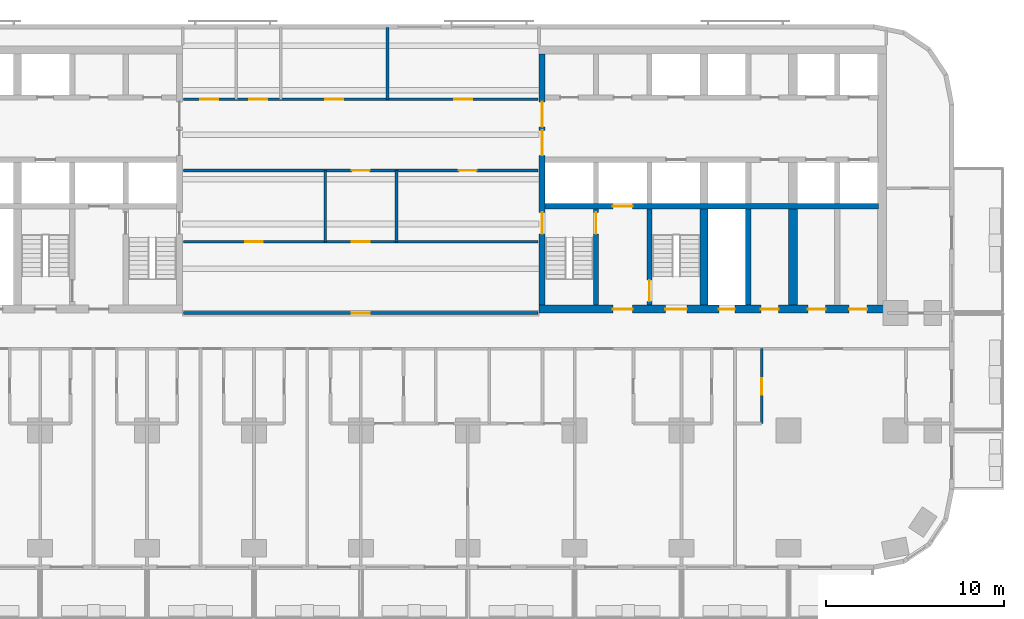
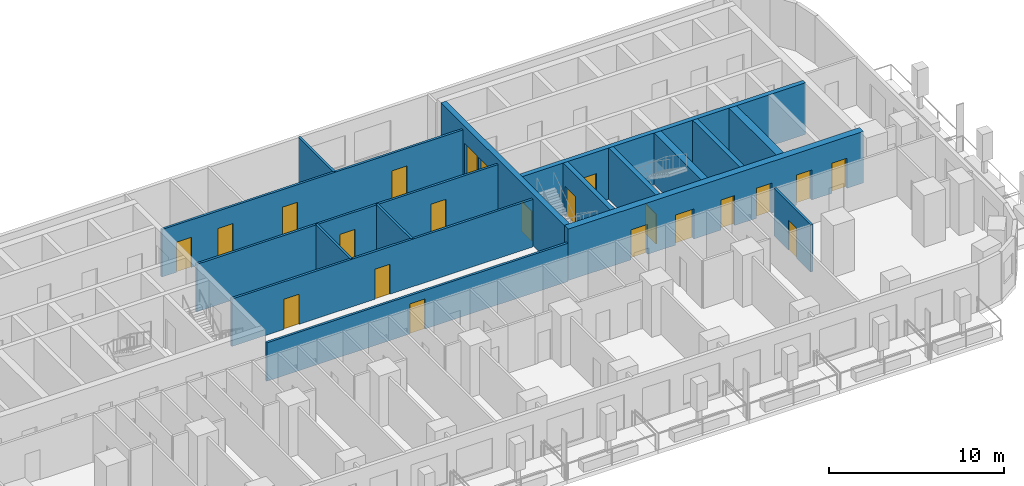
# One storey, part 6 of 13: 22 doors, 16 walls, 22 openings.
"""IFC4 building model written with IfcOpenShell, lengths in metres."""

from ifc_helpers import new_model, si_unit, direction, frame, frame_2d, origin, place, context, subcontext, project, spatial, rectangle, extrude, material, layer, layer_set, type_object, element, fill, save


model = new_model("IFC4")

# Units and contexts
model_context = context("Model", 3, precision=1e-05, world=origin(), true_north=direction((0.0, 1.0)))
body_context = subcontext(model_context, "Body", "Model", "MODEL_VIEW")
ifc_project = project(units=[si_unit("LENGTHUNIT", "METRE"), si_unit("AREAUNIT", "SQUARE_METRE"), si_unit("VOLUMEUNIT", "CUBIC_METRE"), si_unit("PLANEANGLEUNIT", "RADIAN"), si_unit("MASSUNIT", "GRAM", prefix="KILO")], contexts=[model_context])

# Site, building, storey
site_placement = place(None, origin())
site = spatial("IfcSite", under=ifc_project, at=site_placement, CompositionType="ELEMENT")
building_placement = place(site_placement, origin())
building = spatial("IfcBuilding", under=site, at=building_placement, Name="Torana Hotel and Residences", CompositionType="ELEMENT")
storey_placement = place(building_placement, frame((0.0, 0.0, 60.0)))
storey = spatial("IfcBuildingStorey", under=building, at=storey_placement, Name="L14", CompositionType="ELEMENT", Elevation=60.0)

# Wall, opening, door
ifc_material_1 = material(Name="Concrete C80/95", Category="concrete")
ifc_layer_1 = layer(ifc_material_1, 0.300048828125)
ifc_layer_set_1 = layer_set([ifc_layer_1], Name="CORE WALL 300 C80/95")
wall_type_1 = type_object("IfcWallType", Name="CORE WALL 300 C80/95", PredefinedType="SHEAR", material=ifc_layer_set_1)
wall_1_placement = place(storey_placement, frame((10.35009765625, -9.0, 0.0), z_axis=(0.0, 0.0, 1.0), x_axis=(1.0, 0.0, 0.0)))
wall_1 = element("IfcWall", 1, at=wall_1_placement, inside=storey, type_object=wall_type_1, Name="Core wall E band", PredefinedType="SHEAR", context=body_context, shape_type="SweptSolid", body=[
    extrude(rectangle(XDim=18.699951171875, YDim=0.300048828125, at=frame_2d((9.35009765625, 0.0))), origin(), (0.0, 0.0, 1.0), 3.60009765625),
])
opening_1_placement = place(wall_1_placement, frame((3.800048828125, 0.0, 0.0)))
opening_1 = element("IfcOpeningElement", 2, at=opening_1_placement, cuts=wall_1, Name="Opening LD", PredefinedType="OPENING", context=body_context, shape_type="SweptSolid", body=[
    extrude(rectangle(XDim=1.10009765625, YDim=2.10009765625, at=frame_2d((0.550048828125, 1.050048828125))), frame((0.0, 0.159912109375, 0.0), z_axis=(0.0, -1.0, 0.0), x_axis=(1.0, 0.0, 0.0)), (0.0, 0.0, 1.0), 0.320068359375),
])
ifc_material_2 = material(Name="Stainless steel 316", Category="steel")
door_type_1 = type_object("IfcDoorType", Name="LIFT LANDING DOOR LD 1100x2100", OperationType="DOUBLE_DOOR_SLIDING", PredefinedType="USERDEFINED", material=ifc_material_2)
door_1_placement = place(opening_1_placement, origin())
door_1 = element("IfcDoor", 3, at=door_1_placement, inside=storey, type_object=door_type_1, Name="Lift landing door FF2 L14", ObjectType="LIFT LANDING DOOR", OperationType="DOUBLE_DOOR_SLIDING", OverallHeight=2.10009765625, OverallWidth=1.10009765625, PredefinedType="USERDEFINED", context=body_context, shape_type="SweptSolid", body=[
    extrude(rectangle(XDim=1.10009765625, YDim=2.10009765625, at=frame_2d((0.550048828125, 1.050048828125))), frame((0.0, 0.02490234375, 0.0), z_axis=(0.0, -1.0, 0.0), x_axis=(1.0, 0.0, 0.0)), (0.0, 0.0, 1.0), 0.050048828125),
])
fill(opening_1, door_1)

wall_2_placement = place(storey_placement, frame((13.199951171875, -14.550048828125, 0.0), z_axis=(0.0, 0.0, 1.0), x_axis=(0.0, 1.0, 0.0)))
wall_2 = element("IfcWall", 4, at=wall_2_placement, inside=storey, type_object=wall_type_1, Name="Core wall E x3.05-band", PredefinedType="SHEAR", context=body_context, shape_type="SweptSolid", body=[
    extrude(rectangle(XDim=5.400146484375, YDim=0.300048828125, at=frame_2d((2.7001953125, 0.0))), origin(), (0.0, 0.0, 1.0), 3.60009765625),
])
opening_2_placement = place(wall_2_placement, frame((4.0, 0.0, 0.0)))
opening_2 = element("IfcOpeningElement", 5, at=opening_2_placement, cuts=wall_2, Name="Opening L14-31", PredefinedType="OPENING", context=body_context, shape_type="SweptSolid", body=[
    extrude(rectangle(XDim=1.199951171875, YDim=2.10009765625, at=frame_2d((0.60009765625, 1.050048828125))), frame((0.0, 0.159912109375, 0.0), z_axis=(0.0, -1.0, 0.0), x_axis=(1.0, 0.0, 0.0)), (0.0, 0.0, 1.0), 0.320068359375),
])
ifc_material_3 = material(Name="Steel S235", Category="steel")
door_type_2 = type_object("IfcDoorType", Name="STAIR FIRE DOOR D3 1200x2100", OperationType="SINGLE_SWING_LEFT", PredefinedType="DOOR", material=ifc_material_3)
door_2_placement = place(opening_2_placement, origin())
door_2 = element("IfcDoor", 6, at=door_2_placement, inside=storey, type_object=door_type_2, Name="Stair-A-lobby door L14", OperationType="SINGLE_SWING_LEFT", OverallHeight=2.10009765625, OverallWidth=1.199951171875, PredefinedType="DOOR", context=body_context, shape_type="SweptSolid", body=[
    extrude(rectangle(XDim=1.199951171875, YDim=2.10009765625, at=frame_2d((0.60009765625, 1.050048828125))), frame((0.0, 0.02490234375, 0.0), z_axis=(0.0, -1.0, 0.0), x_axis=(1.0, 0.0, 0.0)), (0.0, 0.0, 1.0), 0.050048828125),
])
fill(opening_2, door_2)

wall_3_placement = place(storey_placement, frame((16.199951171875, -14.550048828125, 0.0), z_axis=(0.0, 0.0, 1.0), x_axis=(0.0, 1.0, 0.0)))
wall_3 = element("IfcWall", 7, at=wall_3_placement, inside=storey, type_object=wall_type_1, Name="Core wall E x6.05-band", PredefinedType="SHEAR", context=body_context, shape_type="SweptSolid", body=[
    extrude(rectangle(XDim=5.400146484375, YDim=0.300048828125, at=frame_2d((2.7001953125, 0.0))), origin(), (0.0, 0.0, 1.0), 3.60009765625),
])
opening_3_placement = place(wall_3_placement, frame((0.199951171875, 0.0, 0.0)))
opening_3 = element("IfcOpeningElement", 8, at=opening_3_placement, cuts=wall_3, Name="Opening L14-32", PredefinedType="OPENING", context=body_context, shape_type="SweptSolid", body=[
    extrude(rectangle(XDim=1.199951171875, YDim=2.10009765625, at=frame_2d((0.60009765625, 1.050048828125))), frame((0.0, 0.159912109375, 0.0), z_axis=(0.0, -1.0, 0.0), x_axis=(1.0, 0.0, 0.0)), (0.0, 0.0, 1.0), 0.320068359375),
])
door_3_placement = place(opening_3_placement, frame((0.60009765625, 0.0, 0.0), z_axis=(0.0, 0.0, 1.0), x_axis=(-1.0, 0.0, 0.0)))
door_3 = element("IfcDoor", 9, at=door_3_placement, inside=storey, type_object=door_type_2, Name="Stair-B-lobby door L14", OperationType="SINGLE_SWING_LEFT", OverallHeight=2.10009765625, OverallWidth=1.199951171875, PredefinedType="DOOR", context=body_context, shape_type="SweptSolid", body=[
    extrude(rectangle(XDim=1.199951171875, YDim=2.10009765625, at=frame_2d((0.0, 1.050048828125))), frame((0.0, -0.02490234375, 0.0), z_axis=(0.0, 1.0, 0.0), x_axis=(-1.0, 0.0, 0.0)), (0.0, 0.0, 1.0), 0.050048828125),
])
fill(opening_3, door_3)

# Wall
wall_4_placement = place(storey_placement, frame((21.75, -14.550048828125, 0.0), z_axis=(0.0, 0.0, 1.0), x_axis=(0.0, 1.0, 0.0)))
element("IfcWall", 10, at=wall_4_placement, inside=storey, type_object=wall_type_1, Name="Core wall E mm-band", PredefinedType="SHEAR", context=body_context, shape_type="SweptSolid", body=[
    extrude(rectangle(XDim=5.400146484375, YDim=0.300048828125, at=frame_2d((2.7001953125, 0.0))), origin(), (0.0, 0.0, 1.0), 3.60009765625),
])

# Wall, openings, doors
ifc_material_4 = material(Name="Concrete C80/95", Category="concrete")
ifc_layer_2 = layer(ifc_material_4, 0.35009765625)
ifc_layer_set_2 = layer_set([ifc_layer_2], Name="CORE WALL 350 C80/95")
wall_type_2 = type_object("IfcWallType", Name="CORE WALL 350 C80/95", PredefinedType="SHEAR", material=ifc_layer_set_2)
wall_5_placement = place(storey_placement, frame((10.175048828125, -14.550048828125, 0.0), z_axis=(0.0, 0.0, 1.0), x_axis=(0.0, 1.0, 0.0)))
wall_5 = element("IfcWall", 11, at=wall_5_placement, inside=storey, type_object=wall_type_2, Name="Core wall E arch", PredefinedType="SHEAR", context=body_context, shape_type="SweptSolid", body=[
    extrude(rectangle(XDim=14.10009765625, YDim=0.35009765625, at=frame_2d((7.050048828125, 0.0))), origin(), (0.0, 0.0, 1.0), 3.60009765625),
])
opening_4_placement = place(wall_5_placement, frame((8.39990234375, 0.0, 0.0)))
opening_4 = element("IfcOpeningElement", 12, at=opening_4_placement, cuts=wall_5, Name="Opening L14-17", PredefinedType="OPENING", context=body_context, shape_type="SweptSolid", body=[
    extrude(rectangle(XDim=1.39990234375, YDim=2.39990234375, at=frame_2d((0.699951171875, 1.199951171875))), frame((0.0, 0.18505859375, 0.0), z_axis=(0.0, -1.0, 0.0), x_axis=(1.0, 0.0, 0.0)), (0.0, 0.0, 1.0), 0.3701171875),
])
opening_5_placement = place(wall_5_placement, frame((10.0, 0.0, 0.0)))
opening_5 = element("IfcOpeningElement", 13, at=opening_5_placement, cuts=wall_5, Name="Opening L14-18", PredefinedType="OPENING", context=body_context, shape_type="SweptSolid", body=[
    extrude(rectangle(XDim=1.39990234375, YDim=2.39990234375, at=frame_2d((0.699951171875, 1.199951171875))), frame((0.0, 0.18505859375, 0.0), z_axis=(0.0, -1.0, 0.0), x_axis=(1.0, 0.0, 0.0)), (0.0, 0.0, 1.0), 0.3701171875),
])
opening_6_placement = place(wall_5_placement, frame((4.0, 0.0, 0.0)))
opening_6 = element("IfcOpeningElement", 14, at=opening_6_placement, cuts=wall_5, Name="Opening L14-19", PredefinedType="OPENING", context=body_context, shape_type="SweptSolid", body=[
    extrude(rectangle(XDim=1.199951171875, YDim=2.10009765625, at=frame_2d((0.60009765625, 1.050048828125))), frame((0.0, 0.18505859375, 0.0), z_axis=(0.0, -1.0, 0.0), x_axis=(1.0, 0.0, 0.0)), (0.0, 0.0, 1.0), 0.3701171875),
])
ifc_material_5 = material(Name="Steel S235", Category="steel")
door_type_3 = type_object("IfcDoorType", Name="LOBBY FIRE DOOR D4 1400x2400", OperationType="DOUBLE_DOOR_SINGLE_SWING", PredefinedType="DOOR", material=ifc_material_5)
door_4_placement = place(opening_4_placement, origin())
door_4 = element("IfcDoor", 15, at=door_4_placement, inside=storey, type_object=door_type_3, Name="Lobby-1 door L14", OperationType="DOUBLE_DOOR_SINGLE_SWING", OverallHeight=2.39990234375, OverallWidth=1.39990234375, PredefinedType="DOOR", context=body_context, shape_type="SweptSolid", body=[
    extrude(rectangle(XDim=1.39990234375, YDim=2.39990234375, at=frame_2d((0.699951171875, 1.199951171875))), frame((0.0, 0.02490234375, 0.0), z_axis=(0.0, -1.0, 0.0), x_axis=(1.0, 0.0, 0.0)), (0.0, 0.0, 1.0), 0.050048828125),
])
fill(opening_4, door_4)
door_5_placement = place(opening_5_placement, origin())
door_5 = element("IfcDoor", 16, at=door_5_placement, inside=storey, type_object=door_type_3, Name="Lobby-2 door L14", OperationType="DOUBLE_DOOR_SINGLE_SWING", OverallHeight=2.39990234375, OverallWidth=1.39990234375, PredefinedType="DOOR", context=body_context, shape_type="SweptSolid", body=[
    extrude(rectangle(XDim=1.39990234375, YDim=2.39990234375, at=frame_2d((0.699951171875, 1.199951171875))), frame((0.0, 0.02490234375, 0.0), z_axis=(0.0, -1.0, 0.0), x_axis=(1.0, 0.0, 0.0)), (0.0, 0.0, 1.0), 0.050048828125),
])
fill(opening_5, door_5)
door_6_placement = place(opening_6_placement, frame((0.60009765625, 0.0, 0.0), z_axis=(0.0, 0.0, 1.0), x_axis=(-1.0, 0.0, 0.0)))
door_6 = element("IfcDoor", 17, at=door_6_placement, inside=storey, type_object=door_type_2, Name="Stair-A door L14", OperationType="SINGLE_SWING_RIGHT", OverallHeight=2.10009765625, OverallWidth=1.199951171875, PredefinedType="DOOR", context=body_context, shape_type="SweptSolid", body=[
    extrude(rectangle(XDim=1.199951171875, YDim=2.10009765625, at=frame_2d((0.0, 1.050048828125))), frame((0.0, -0.02490234375, 0.0), z_axis=(0.0, 1.0, 0.0), x_axis=(-1.0, 0.0, 0.0)), (0.0, 0.0, 1.0), 0.050048828125),
])
fill(opening_6, door_6)

ifc_material_6 = material(Name="Concrete C80/95", Category="concrete")
ifc_layer_3 = layer(ifc_material_6, 0.449951171875)
ifc_layer_set_3 = layer_set([ifc_layer_3], Name="CORE WALL 450 C80/95")
wall_type_3 = type_object("IfcWallType", Name="CORE WALL 450 C80/95", PredefinedType="SHEAR", material=ifc_layer_set_3)
wall_6_placement = place(storey_placement, frame((10.0, -14.77490234375, 0.0), z_axis=(0.0, 0.0, 1.0), x_axis=(1.0, 0.0, 0.0)))
wall_6 = element("IfcWall", 18, at=wall_6_placement, inside=storey, type_object=wall_type_3, Name="Core wall E front", PredefinedType="SHEAR", context=body_context, shape_type="SweptSolid", body=[
    extrude(rectangle(XDim=19.5, YDim=0.449951171875, at=frame_2d((9.75, 0.0))), origin(), (0.0, 0.0, 1.0), 3.60009765625),
])
opening_7_placement = place(wall_6_placement, frame((7.10009765625, 0.0, 0.0)))
opening_7 = element("IfcOpeningElement", 19, at=opening_7_placement, cuts=wall_6, Name="Opening L14-20", PredefinedType="OPENING", context=body_context, shape_type="SweptSolid", body=[
    extrude(rectangle(XDim=1.199951171875, YDim=2.10009765625, at=frame_2d((0.60009765625, 1.050048828125))), frame((0.0, 0.23486328125, 0.0), z_axis=(0.0, -1.0, 0.0), x_axis=(1.0, 0.0, 0.0)), (0.0, 0.0, 1.0), 0.469970703125),
])
opening_8_placement = place(wall_6_placement, frame((4.14990234375, 0.0, 0.0)))
opening_8 = element("IfcOpeningElement", 20, at=opening_8_placement, cuts=wall_6, Name="Opening L14-21", PredefinedType="OPENING", context=body_context, shape_type="SweptSolid", body=[
    extrude(rectangle(XDim=1.10009765625, YDim=2.10009765625, at=frame_2d((0.550048828125, 1.050048828125))), frame((0.0, 0.23486328125, 0.0), z_axis=(0.0, -1.0, 0.0), x_axis=(1.0, 0.0, 0.0)), (0.0, 0.0, 1.0), 0.469970703125),
])
opening_9_placement = place(wall_6_placement, frame((10.10009765625, 0.0, 0.0)))
opening_9 = element("IfcOpeningElement", 21, at=opening_9_placement, cuts=wall_6, Name="Opening L14-22", PredefinedType="OPENING", context=body_context, shape_type="SweptSolid", body=[
    extrude(rectangle(XDim=0.89990234375, YDim=2.10009765625, at=frame_2d((0.449951171875, 1.050048828125))), frame((0.0, 0.23486328125, 0.0), z_axis=(0.0, -1.0, 0.0), x_axis=(1.0, 0.0, 0.0)), (0.0, 0.0, 1.0), 0.469970703125),
])
opening_10_placement = place(wall_6_placement, frame((12.449951171875, 0.0, 0.0)))
opening_10 = element("IfcOpeningElement", 22, at=opening_10_placement, cuts=wall_6, Name="Opening L14-23", PredefinedType="OPENING", context=body_context, shape_type="SweptSolid", body=[
    extrude(rectangle(XDim=1.0, YDim=2.10009765625, at=frame_2d((0.5, 1.050048828125))), frame((0.0, 0.23486328125, 0.0), z_axis=(0.0, -1.0, 0.0), x_axis=(1.0, 0.0, 0.0)), (0.0, 0.0, 1.0), 0.469970703125),
])
opening_11_placement = place(wall_6_placement, frame((15.08740234375, 0.0, 0.0)))
opening_11 = element("IfcOpeningElement", 23, at=opening_11_placement, cuts=wall_6, Name="Opening L14-24", PredefinedType="OPENING", context=body_context, shape_type="SweptSolid", body=[
    extrude(rectangle(XDim=1.0, YDim=2.10009765625, at=frame_2d((0.5, 1.050048828125))), frame((0.0, 0.23486328125, 0.0), z_axis=(0.0, -1.0, 0.0), x_axis=(1.0, 0.0, 0.0)), (0.0, 0.0, 1.0), 0.469970703125),
])
opening_12_placement = place(wall_6_placement, frame((17.41259765625, 0.0, 0.0)))
opening_12 = element("IfcOpeningElement", 24, at=opening_12_placement, cuts=wall_6, Name="Opening L14-25", PredefinedType="OPENING", context=body_context, shape_type="SweptSolid", body=[
    extrude(rectangle(XDim=1.0, YDim=2.10009765625, at=frame_2d((0.5, 1.050048828125))), frame((0.0, 0.23486328125, 0.0), z_axis=(0.0, -1.0, 0.0), x_axis=(1.0, 0.0, 0.0)), (0.0, 0.0, 1.0), 0.469970703125),
])
ifc_material_7 = material(Name="Steel S235", Category="steel")
door_type_4 = type_object("IfcDoorType", Name="CORE ROOM FIRE DOOR D14 1000x2100", OperationType="SINGLE_SWING_LEFT", PredefinedType="DOOR", material=ifc_material_7)
door_7_placement = place(opening_10_placement, origin())
door_7 = element("IfcDoor", 25, at=door_7_placement, inside=storey, type_object=door_type_4, Name="M-Room door L14", OperationType="SINGLE_SWING_RIGHT", OverallHeight=2.10009765625, OverallWidth=1.0, PredefinedType="DOOR", context=body_context, shape_type="SweptSolid", body=[
    extrude(rectangle(XDim=1.0, YDim=2.10009765625, at=frame_2d((0.5, 1.050048828125))), frame((0.0, 0.02490234375, 0.0), z_axis=(0.0, -1.0, 0.0), x_axis=(1.0, 0.0, 0.0)), (0.0, 0.0, 1.0), 0.050048828125),
])
fill(opening_10, door_7)
door_8_placement = place(opening_11_placement, origin())
door_8 = element("IfcDoor", 26, at=door_8_placement, inside=storey, type_object=door_type_4, Name="L-A door L14", OperationType="SINGLE_SWING_RIGHT", OverallHeight=2.10009765625, OverallWidth=1.0, PredefinedType="DOOR", context=body_context, shape_type="SweptSolid", body=[
    extrude(rectangle(XDim=1.0, YDim=2.10009765625, at=frame_2d((0.5, 1.050048828125))), frame((0.0, 0.02490234375, 0.0), z_axis=(0.0, -1.0, 0.0), x_axis=(1.0, 0.0, 0.0)), (0.0, 0.0, 1.0), 0.050048828125),
])
fill(opening_11, door_8)
door_9_placement = place(opening_12_placement, origin())
door_9 = element("IfcDoor", 27, at=door_9_placement, inside=storey, type_object=door_type_4, Name="L-B door L14", OperationType="SINGLE_SWING_RIGHT", OverallHeight=2.10009765625, OverallWidth=1.0, PredefinedType="DOOR", context=body_context, shape_type="SweptSolid", body=[
    extrude(rectangle(XDim=1.0, YDim=2.10009765625, at=frame_2d((0.5, 1.050048828125))), frame((0.0, 0.02490234375, 0.0), z_axis=(0.0, -1.0, 0.0), x_axis=(1.0, 0.0, 0.0)), (0.0, 0.0, 1.0), 0.050048828125),
])
fill(opening_12, door_9)
ifc_material_8 = material(Name="Steel S235", Category="steel")
door_type_5 = type_object("IfcDoorType", Name="FIRE-FIGHTING LOBBY DOOR D8 1100x2100", OperationType="SINGLE_SWING_LEFT", PredefinedType="DOOR", material=ifc_material_8)
door_10_placement = place(opening_8_placement, origin())
door_10 = element("IfcDoor", 28, at=door_10_placement, inside=storey, type_object=door_type_5, Name="FF-lobby door L14", OperationType="SINGLE_SWING_RIGHT", OverallHeight=2.10009765625, OverallWidth=1.10009765625, PredefinedType="DOOR", context=body_context, shape_type="SweptSolid", body=[
    extrude(rectangle(XDim=1.10009765625, YDim=2.10009765625, at=frame_2d((0.550048828125, 1.050048828125))), frame((0.0, 0.02490234375, 0.0), z_axis=(0.0, -1.0, 0.0), x_axis=(1.0, 0.0, 0.0)), (0.0, 0.0, 1.0), 0.050048828125),
])
fill(opening_8, door_10)
ifc_material_9 = material(Name="Steel S235", Category="steel")
door_type_6 = type_object("IfcDoorType", Name="RISER ACCESS DOOR D5 900x2100", OperationType="SINGLE_SWING_LEFT", PredefinedType="DOOR", material=ifc_material_9)
door_11_placement = place(opening_9_placement, origin())
door_11 = element("IfcDoor", 29, at=door_11_placement, inside=storey, type_object=door_type_6, Name="M-Riser door L14", OperationType="SINGLE_SWING_RIGHT", OverallHeight=2.10009765625, OverallWidth=0.89990234375, PredefinedType="DOOR", context=body_context, shape_type="SweptSolid", body=[
    extrude(rectangle(XDim=0.89990234375, YDim=2.10009765625, at=frame_2d((0.449951171875, 1.050048828125))), frame((0.0, 0.02490234375, 0.0), z_axis=(0.0, -1.0, 0.0), x_axis=(1.0, 0.0, 0.0)), (0.0, 0.0, 1.0), 0.050048828125),
])
fill(opening_9, door_11)
door_12_placement = place(opening_7_placement, origin())
door_12 = element("IfcDoor", 30, at=door_12_placement, inside=storey, type_object=door_type_2, Name="Stair-B door L14", OperationType="SINGLE_SWING_RIGHT", OverallHeight=2.10009765625, OverallWidth=1.199951171875, PredefinedType="DOOR", context=body_context, shape_type="SweptSolid", body=[
    extrude(rectangle(XDim=1.199951171875, YDim=2.10009765625, at=frame_2d((0.60009765625, 1.050048828125))), frame((0.0, 0.02490234375, 0.0), z_axis=(0.0, -1.0, 0.0), x_axis=(1.0, 0.0, 0.0)), (0.0, 0.0, 1.0), 0.050048828125),
])
fill(opening_7, door_12)

# Walls
wall_7_placement = place(storey_placement, frame((19.27490234375, -14.550048828125, 0.0), z_axis=(0.0, 0.0, 1.0), x_axis=(0.0, 1.0, 0.0)))
element("IfcWall", 31, at=wall_7_placement, inside=storey, type_object=wall_type_3, Name="Core wall E hm-band", PredefinedType="SHEAR", context=body_context, shape_type="SweptSolid", body=[
    extrude(rectangle(XDim=5.400146484375, YDim=0.449951171875, at=frame_2d((2.7001953125, 0.0))), origin(), (0.0, 0.0, 1.0), 3.60009765625),
])
ifc_material_10 = material(Name="Concrete C80/95", Category="concrete")
ifc_layer_4 = layer(ifc_material_10, 0.5)
ifc_layer_set_4 = layer_set([ifc_layer_4], Name="CORE WALL 500 C80/95")
wall_type_4 = type_object("IfcWallType", Name="CORE WALL 500 C80/95", PredefinedType="SHEAR", material=ifc_layer_set_4)
wall_8_placement = place(storey_placement, frame((24.25, -14.550048828125, 0.0), z_axis=(0.0, 0.0, 1.0), x_axis=(0.0, 1.0, 0.0)))
element("IfcWall", 32, at=wall_8_placement, inside=storey, type_object=wall_type_4, Name="Core wall E ml-band", PredefinedType="SHEAR", context=body_context, shape_type="SweptSolid", body=[
    extrude(rectangle(XDim=5.400146484375, YDim=0.5, at=frame_2d((2.7001953125, 0.0))), origin(), (0.0, 0.0, 1.0), 3.60009765625),
])
ifc_material_11 = material(Name="Gypsum plaster")
ifc_layer_5 = layer(ifc_material_11, 0.014892578125, Name="Plaster", Category="finish")
ifc_material_12 = material(Name="Concrete blockwork", Category="masonry")
ifc_layer_6 = layer(ifc_material_12, 0.1201171875, Name="Blockwork", Category="structure")
ifc_layer_7 = layer(ifc_material_11, 0.014892578125, Name="Plaster", Category="finish")
ifc_layer_set_5 = layer_set([ifc_layer_5, ifc_layer_6, ifc_layer_7], Name="FIRE PARTITION 150 BLOCKWORK")
wall_type_5 = type_object("IfcWallType", Name="FIRE PARTITION 150 BLOCKWORK", PredefinedType="PARTITIONING", material=ifc_layer_set_5)
for number, where, z_axis, x_axis, name in (
    (33, (2.0, -11.0, 0.0), (0.0, 0.0, 1.0), (0.0, 1.0, 0.0), "Partition L14"),
    (34, (-2.0, -11.0, 0.0), (0.0, 0.0, 1.0), (0.0, 1.0, 0.0), "Partition L14"),
):
    element("IfcWall", number, at=place(storey_placement, frame(where, z_axis=z_axis, x_axis=x_axis)), inside=storey, type_object=wall_type_5, Name=name, PredefinedType="PARTITIONING", context=body_context, shape_type="SweptSolid", body=[
        extrude(rectangle(XDim=4.0, YDim=0.14990234375, at=frame_2d((2.0, 0.0))), origin(), (0.0, 0.0, 1.0), 3.320068359375),
    ])

# Wall, opening, door
wall_9_placement = place(storey_placement, frame((-9.949951171875, -15.0, 0.0), z_axis=(0.0, 0.0, 1.0), x_axis=(1.0, 0.0, 0.0)))
wall_9 = element("IfcWall", 35, at=wall_9_placement, inside=storey, type_object=wall_type_5, Name="Partition L14", PredefinedType="PARTITIONING", context=body_context, shape_type="SweptSolid", body=[
    extrude(rectangle(XDim=19.89990234375, YDim=0.14990234375, at=frame_2d((9.949951171875, 0.0))), origin(), (0.0, 0.0, 1.0), 2.68408203125),
])
opening_13_placement = place(wall_9_placement, frame((9.449951171875, 0.0, 0.0)))
opening_13 = element("IfcOpeningElement", 36, at=opening_13_placement, cuts=wall_9, Name="Opening L14-33", PredefinedType="OPENING", context=body_context, shape_type="SweptSolid", body=[
    extrude(rectangle(XDim=1.0, YDim=2.10009765625, at=frame_2d((0.5, 1.050048828125))), frame((0.0, 0.0849609375, 0.0), z_axis=(0.0, -1.0, 0.0), x_axis=(1.0, 0.0, 0.0)), (0.0, 0.0, 1.0), 0.169921875),
])
ifc_material_13 = material(Name="Steel S235", Category="steel")
door_type_7 = type_object("IfcDoorType", Name="ENTRY FIRE DOOR D6 1000x2100", OperationType="SINGLE_SWING_LEFT", PredefinedType="DOOR", material=ifc_material_13)
door_13_placement = place(opening_13_placement, origin())
door_13 = element("IfcDoor", 37, at=door_13_placement, inside=storey, type_object=door_type_7, Name="Door L14", OperationType="SINGLE_SWING_RIGHT", OverallHeight=2.10009765625, OverallWidth=1.0, PredefinedType="DOOR", context=body_context, shape_type="SweptSolid", body=[
    extrude(rectangle(XDim=1.0, YDim=2.10009765625, at=frame_2d((0.5, 1.050048828125))), frame((0.0, 0.02490234375, 0.0), z_axis=(0.0, -1.0, 0.0), x_axis=(1.0, 0.0, 0.0)), (0.0, 0.0, 1.0), 0.050048828125),
])
fill(opening_13, door_13)

# Wall, openings, doors
wall_10_placement = place(storey_placement, frame((-9.949951171875, -11.0, 0.0), z_axis=(0.0, 0.0, 1.0), x_axis=(1.0, 0.0, 0.0)))
wall_10 = element("IfcWall", 38, at=wall_10_placement, inside=storey, type_object=wall_type_5, Name="Partition L14", PredefinedType="PARTITIONING", context=body_context, shape_type="SweptSolid", body=[
    extrude(rectangle(XDim=19.89990234375, YDim=0.14990234375, at=frame_2d((9.949951171875, 0.0))), origin(), (0.0, 0.0, 1.0), 3.320068359375),
])
opening_14_placement = place(wall_10_placement, frame((9.449951171875, 0.0, 0.0)))
opening_14 = element("IfcOpeningElement", 39, at=opening_14_placement, cuts=wall_10, Name="Opening L14-48", PredefinedType="OPENING", context=body_context, shape_type="SweptSolid", body=[
    extrude(rectangle(XDim=1.0, YDim=2.10009765625, at=frame_2d((0.5, 1.050048828125))), frame((0.0, 0.0849609375, 0.0), z_axis=(0.0, -1.0, 0.0), x_axis=(1.0, 0.0, 0.0)), (0.0, 0.0, 1.0), 0.169921875),
])
opening_15_placement = place(wall_10_placement, frame((3.449951171875, 0.0, 0.0)))
opening_15 = element("IfcOpeningElement", 40, at=opening_15_placement, cuts=wall_10, Name="Opening L14-49", PredefinedType="OPENING", context=body_context, shape_type="SweptSolid", body=[
    extrude(rectangle(XDim=1.0, YDim=2.10009765625, at=frame_2d((0.5, 1.050048828125))), frame((0.0, 0.0849609375, 0.0), z_axis=(0.0, -1.0, 0.0), x_axis=(1.0, 0.0, 0.0)), (0.0, 0.0, 1.0), 0.169921875),
])
door_14_placement = place(opening_14_placement, origin())
door_14 = element("IfcDoor", 41, at=door_14_placement, inside=storey, type_object=door_type_7, Name="Door L14", OperationType="SINGLE_SWING_RIGHT", OverallHeight=2.10009765625, OverallWidth=1.0, PredefinedType="DOOR", context=body_context, shape_type="SweptSolid", body=[
    extrude(rectangle(XDim=1.0, YDim=2.10009765625, at=frame_2d((0.5, 1.050048828125))), frame((0.0, 0.02490234375, 0.0), z_axis=(0.0, -1.0, 0.0), x_axis=(1.0, 0.0, 0.0)), (0.0, 0.0, 1.0), 0.050048828125),
])
fill(opening_14, door_14)
door_15_placement = place(opening_15_placement, origin())
door_15 = element("IfcDoor", 42, at=door_15_placement, inside=storey, type_object=door_type_7, Name="Door L14", OperationType="SINGLE_SWING_RIGHT", OverallHeight=2.10009765625, OverallWidth=1.0, PredefinedType="DOOR", context=body_context, shape_type="SweptSolid", body=[
    extrude(rectangle(XDim=1.0, YDim=2.10009765625, at=frame_2d((0.5, 1.050048828125))), frame((0.0, 0.02490234375, 0.0), z_axis=(0.0, -1.0, 0.0), x_axis=(1.0, 0.0, 0.0)), (0.0, 0.0, 1.0), 0.050048828125),
])
fill(opening_15, door_15)

wall_11_placement = place(storey_placement, frame((-9.949951171875, -7.0, 0.0), z_axis=(0.0, 0.0, 1.0), x_axis=(1.0, 0.0, 0.0)))
wall_11 = element("IfcWall", 43, at=wall_11_placement, inside=storey, type_object=wall_type_5, Name="Partition L14", PredefinedType="PARTITIONING", context=body_context, shape_type="SweptSolid", body=[
    extrude(rectangle(XDim=19.89990234375, YDim=0.14990234375, at=frame_2d((9.949951171875, 0.0))), origin(), (0.0, 0.0, 1.0), 3.320068359375),
])
opening_16_placement = place(wall_11_placement, frame((9.449951171875, 0.0, 0.0)))
opening_16 = element("IfcOpeningElement", 44, at=opening_16_placement, cuts=wall_11, Name="Opening L14-50", PredefinedType="OPENING", context=body_context, shape_type="SweptSolid", body=[
    extrude(rectangle(XDim=1.0, YDim=2.10009765625, at=frame_2d((0.5, 1.050048828125))), frame((0.0, 0.0849609375, 0.0), z_axis=(0.0, -1.0, 0.0), x_axis=(1.0, 0.0, 0.0)), (0.0, 0.0, 1.0), 0.169921875),
])
opening_17_placement = place(wall_11_placement, frame((15.449951171875, 0.0, 0.0)))
opening_17 = element("IfcOpeningElement", 45, at=opening_17_placement, cuts=wall_11, Name="Opening L14-51", PredefinedType="OPENING", context=body_context, shape_type="SweptSolid", body=[
    extrude(rectangle(XDim=1.0, YDim=2.10009765625, at=frame_2d((0.5, 1.050048828125))), frame((0.0, 0.0849609375, 0.0), z_axis=(0.0, -1.0, 0.0), x_axis=(1.0, 0.0, 0.0)), (0.0, 0.0, 1.0), 0.169921875),
])
door_16_placement = place(opening_16_placement, origin())
door_16 = element("IfcDoor", 46, at=door_16_placement, inside=storey, type_object=door_type_7, Name="Door L14", OperationType="SINGLE_SWING_RIGHT", OverallHeight=2.10009765625, OverallWidth=1.0, PredefinedType="DOOR", context=body_context, shape_type="SweptSolid", body=[
    extrude(rectangle(XDim=1.0, YDim=2.10009765625, at=frame_2d((0.5, 1.050048828125))), frame((0.0, 0.02490234375, 0.0), z_axis=(0.0, -1.0, 0.0), x_axis=(1.0, 0.0, 0.0)), (0.0, 0.0, 1.0), 0.050048828125),
])
fill(opening_16, door_16)
door_17_placement = place(opening_17_placement, frame((0.5, 0.0, 0.0), z_axis=(0.0, 0.0, 1.0), x_axis=(-1.0, 0.0, 0.0)))
door_17 = element("IfcDoor", 47, at=door_17_placement, inside=storey, type_object=door_type_7, Name="Door L14", OperationType="SINGLE_SWING_LEFT", OverallHeight=2.10009765625, OverallWidth=1.0, PredefinedType="DOOR", context=body_context, shape_type="SweptSolid", body=[
    extrude(rectangle(XDim=1.0, YDim=2.10009765625, at=frame_2d((0.0, 1.050048828125))), frame((0.0, -0.02490234375, 0.0), z_axis=(0.0, 1.0, 0.0), x_axis=(-1.0, 0.0, 0.0)), (0.0, 0.0, 1.0), 0.050048828125),
])
fill(opening_17, door_17)

wall_12_placement = place(storey_placement, frame((-9.949951171875, -3.0, 0.0), z_axis=(0.0, 0.0, 1.0), x_axis=(1.0, 0.0, 0.0)))
wall_12 = element("IfcWall", 48, at=wall_12_placement, inside=storey, type_object=wall_type_5, Name="Partition L14", PredefinedType="PARTITIONING", context=body_context, shape_type="SweptSolid", body=[
    extrude(rectangle(XDim=19.89990234375, YDim=0.14990234375, at=frame_2d((9.949951171875, 0.0))), origin(), (0.0, 0.0, 1.0), 3.320068359375),
])
opening_18_placement = place(wall_12_placement, frame((0.949951171875, 0.0, 0.0)))
opening_18 = element("IfcOpeningElement", 49, at=opening_18_placement, cuts=wall_12, Name="Opening L14-52", PredefinedType="OPENING", context=body_context, shape_type="SweptSolid", body=[
    extrude(rectangle(XDim=1.0, YDim=2.10009765625, at=frame_2d((0.5, 1.050048828125))), frame((0.0, 0.0849609375, 0.0), z_axis=(0.0, -1.0, 0.0), x_axis=(1.0, 0.0, 0.0)), (0.0, 0.0, 1.0), 0.169921875),
])
opening_19_placement = place(wall_12_placement, frame((3.699951171875, 0.0, 0.0)))
opening_19 = element("IfcOpeningElement", 50, at=opening_19_placement, cuts=wall_12, Name="Opening L14-53", PredefinedType="OPENING", context=body_context, shape_type="SweptSolid", body=[
    extrude(rectangle(XDim=1.0, YDim=2.10009765625, at=frame_2d((0.5, 1.050048828125))), frame((0.0, 0.0849609375, 0.0), z_axis=(0.0, -1.0, 0.0), x_axis=(1.0, 0.0, 0.0)), (0.0, 0.0, 1.0), 0.169921875),
])
opening_20_placement = place(wall_12_placement, frame((7.949951171875, 0.0, 0.0)))
opening_20 = element("IfcOpeningElement", 51, at=opening_20_placement, cuts=wall_12, Name="Opening L14-54", PredefinedType="OPENING", context=body_context, shape_type="SweptSolid", body=[
    extrude(rectangle(XDim=1.0, YDim=2.10009765625, at=frame_2d((0.5, 1.050048828125))), frame((0.0, 0.0849609375, 0.0), z_axis=(0.0, -1.0, 0.0), x_axis=(1.0, 0.0, 0.0)), (0.0, 0.0, 1.0), 0.169921875),
])
opening_21_placement = place(wall_12_placement, frame((15.199951171875, 0.0, 0.0)))
opening_21 = element("IfcOpeningElement", 52, at=opening_21_placement, cuts=wall_12, Name="Opening L14-55", PredefinedType="OPENING", context=body_context, shape_type="SweptSolid", body=[
    extrude(rectangle(XDim=1.0, YDim=2.10009765625, at=frame_2d((0.5, 1.050048828125))), frame((0.0, 0.0849609375, 0.0), z_axis=(0.0, -1.0, 0.0), x_axis=(1.0, 0.0, 0.0)), (0.0, 0.0, 1.0), 0.169921875),
])
door_18_placement = place(opening_18_placement, origin())
door_18 = element("IfcDoor", 53, at=door_18_placement, inside=storey, type_object=door_type_7, Name="Door L14", OperationType="SINGLE_SWING_RIGHT", OverallHeight=2.10009765625, OverallWidth=1.0, PredefinedType="DOOR", context=body_context, shape_type="SweptSolid", body=[
    extrude(rectangle(XDim=1.0, YDim=2.10009765625, at=frame_2d((0.5, 1.050048828125))), frame((0.0, 0.02490234375, 0.0), z_axis=(0.0, -1.0, 0.0), x_axis=(1.0, 0.0, 0.0)), (0.0, 0.0, 1.0), 0.050048828125),
])
fill(opening_18, door_18)
door_19_placement = place(opening_19_placement, origin())
door_19 = element("IfcDoor", 54, at=door_19_placement, inside=storey, type_object=door_type_7, Name="Door L14", OperationType="SINGLE_SWING_RIGHT", OverallHeight=2.10009765625, OverallWidth=1.0, PredefinedType="DOOR", context=body_context, shape_type="SweptSolid", body=[
    extrude(rectangle(XDim=1.0, YDim=2.10009765625, at=frame_2d((0.5, 1.050048828125))), frame((0.0, 0.02490234375, 0.0), z_axis=(0.0, -1.0, 0.0), x_axis=(1.0, 0.0, 0.0)), (0.0, 0.0, 1.0), 0.050048828125),
])
fill(opening_19, door_19)
door_20_placement = place(opening_20_placement, origin())
door_20 = element("IfcDoor", 55, at=door_20_placement, inside=storey, type_object=door_type_7, Name="Door L14", OperationType="SINGLE_SWING_RIGHT", OverallHeight=2.10009765625, OverallWidth=1.0, PredefinedType="DOOR", context=body_context, shape_type="SweptSolid", body=[
    extrude(rectangle(XDim=1.0, YDim=2.10009765625, at=frame_2d((0.5, 1.050048828125))), frame((0.0, 0.02490234375, 0.0), z_axis=(0.0, -1.0, 0.0), x_axis=(1.0, 0.0, 0.0)), (0.0, 0.0, 1.0), 0.050048828125),
])
fill(opening_20, door_20)
door_21_placement = place(opening_21_placement, origin())
door_21 = element("IfcDoor", 56, at=door_21_placement, inside=storey, type_object=door_type_7, Name="Door L14", OperationType="SINGLE_SWING_RIGHT", OverallHeight=2.10009765625, OverallWidth=1.0, PredefinedType="DOOR", context=body_context, shape_type="SweptSolid", body=[
    extrude(rectangle(XDim=1.0, YDim=2.10009765625, at=frame_2d((0.5, 1.050048828125))), frame((0.0, 0.02490234375, 0.0), z_axis=(0.0, -1.0, 0.0), x_axis=(1.0, 0.0, 0.0)), (0.0, 0.0, 1.0), 0.050048828125),
])
fill(opening_21, door_21)

# Wall, opening, door
ifc_material_14 = material(Name="Gypsum plasterboard")
ifc_layer_8 = layer(ifc_material_14, 0.012451171875, Name="Plasterboard", Category="finish")
ifc_layer_9 = layer(ifc_material_14, 0.012451171875, Name="Plasterboard", Category="finish")
ifc_material_15 = material(Name="Steel S280GD", Category="steel")
ifc_layer_10 = layer(ifc_material_15, 0.10009765625, Name="Steel studs with mineral wool", Category="insulation")
ifc_layer_11 = layer(ifc_material_14, 0.012451171875, Name="Plasterboard", Category="finish")
ifc_layer_12 = layer(ifc_material_14, 0.012451171875, Name="Plasterboard", Category="finish")
ifc_layer_set_6 = layer_set([ifc_layer_8, ifc_layer_9, ifc_layer_10, ifc_layer_11, ifc_layer_12], Name="PARTITION 150 PLASTERBOARD")
wall_type_6 = type_object("IfcWallType", Name="PARTITION 150 PLASTERBOARD", PredefinedType="PARTITIONING", material=ifc_layer_set_6)
wall_13_placement = place(storey_placement, frame((22.5, -21.199951171875, 0.0), z_axis=(0.0, 0.0, 1.0), x_axis=(0.0, 1.0, 0.0)))
wall_13 = element("IfcWall", 57, at=wall_13_placement, inside=storey, type_object=wall_type_6, Name="Partition L14", PredefinedType="PARTITIONING", context=body_context, shape_type="SweptSolid", body=[
    extrude(rectangle(XDim=4.199951171875, YDim=0.14990234375, at=frame_2d((2.10009765625, 0.0))), origin(), (0.0, 0.0, 1.0), 3.320068359375),
])
opening_22_placement = place(wall_13_placement, frame((1.6298828125, 0.0, 0.0)))
opening_22 = element("IfcOpeningElement", 58, at=opening_22_placement, cuts=wall_13, Name="Opening L14-73", PredefinedType="OPENING", context=body_context, shape_type="SweptSolid", body=[
    extrude(rectangle(XDim=0.89990234375, YDim=2.10009765625, at=frame_2d((0.449951171875, 1.050048828125))), frame((0.0, 0.0849609375, 0.0), z_axis=(0.0, -1.0, 0.0), x_axis=(1.0, 0.0, 0.0)), (0.0, 0.0, 1.0), 0.169921875),
])
ifc_material_16 = material(Name="Timber door, oiled ash", Category="wood")
door_type_8 = type_object("IfcDoorType", Name="ROOM DOOR D7 900x2100", OperationType="SINGLE_SWING_LEFT", PredefinedType="DOOR", material=ifc_material_16)
door_22_placement = place(opening_22_placement, origin())
door_22 = element("IfcDoor", 59, at=door_22_placement, inside=storey, type_object=door_type_8, Name="Door L14", OperationType="SINGLE_SWING_RIGHT", OverallHeight=2.10009765625, OverallWidth=0.89990234375, PredefinedType="DOOR", context=body_context, shape_type="SweptSolid", body=[
    extrude(rectangle(XDim=0.89990234375, YDim=2.10009765625, at=frame_2d((0.449951171875, 1.050048828125))), frame((0.0, 0.02490234375, 0.0), z_axis=(0.0, -1.0, 0.0), x_axis=(1.0, 0.0, 0.0)), (0.0, 0.0, 1.0), 0.050048828125),
])
fill(opening_22, door_22)

# Wall
wall_14_placement = place(storey_placement, frame((1.5, -3.0, 0.0), z_axis=(0.0, 0.0, 1.0), x_axis=(0.0, 1.0, 0.0)))
element("IfcWall", 60, at=wall_14_placement, inside=storey, type_object=wall_type_6, Name="Partition L14", PredefinedType="PARTITIONING", context=body_context, shape_type="SweptSolid", body=[
    extrude(rectangle(XDim=4.02001953125, YDim=0.14990234375, at=frame_2d((2.010009765625, 0.0))), origin(), (0.0, 0.0, 1.0), 3.320068359375),
])

save(model, "model.ifc")
